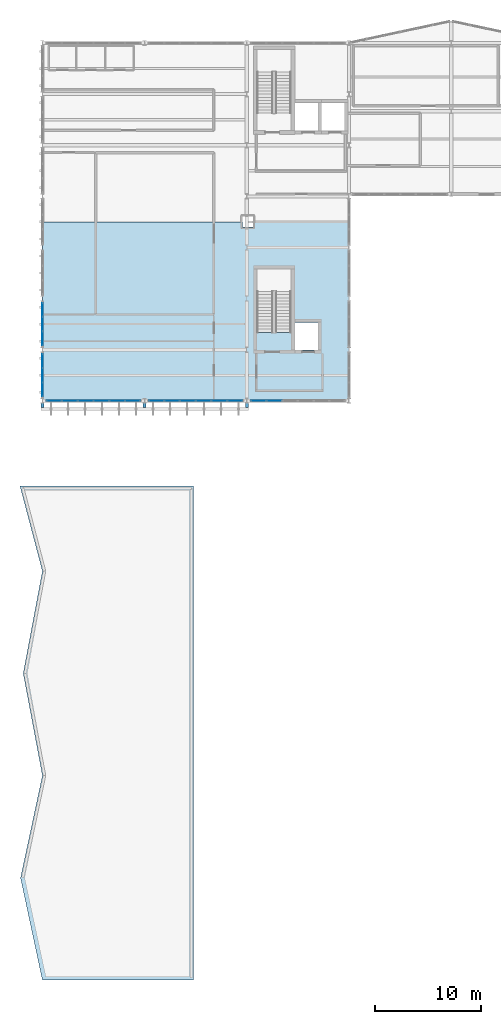
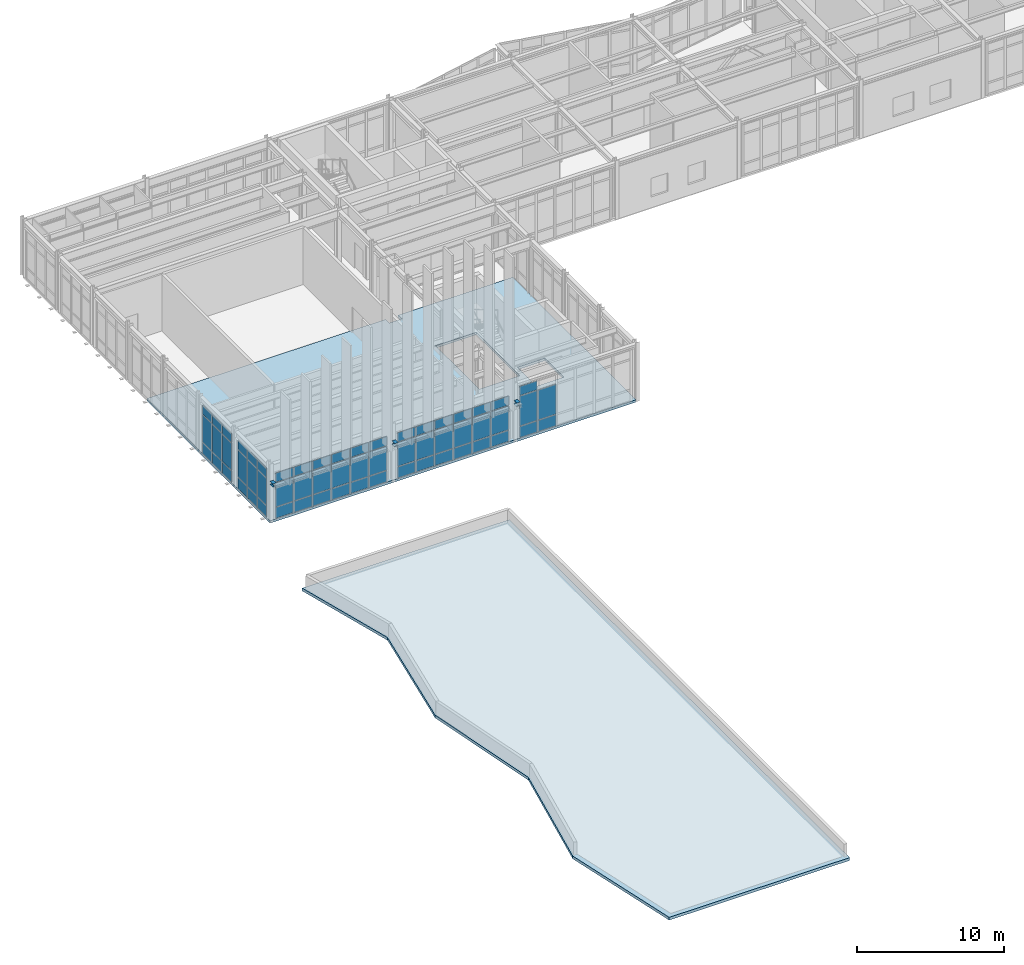
# One storey, part 16 of 28: 59 plates, 3 beams, 2 slabs, 5 elements without a shape of their own.
"""IFC4 building model written with IfcOpenShell, lengths in metres."""

from ifc_helpers import new_model, si_unit, direction, frame, origin, origin_2d, place, context, subcontext, project, spatial, polyline, rectangle, i_section, outline, extrude, material, layer, layer_set, material_profile, profile_set, type_object, element, aggregate, save


model = new_model("IFC4")

# Units and contexts
model_context = context("Model", 3, precision=1e-05, world=origin(), true_north=direction((0.0, 1.0)))
body_context = subcontext(model_context, "Body", "Model", "MODEL_VIEW")
ifc_project = project(units=[si_unit("LENGTHUNIT", "METRE"), si_unit("AREAUNIT", "SQUARE_METRE"), si_unit("VOLUMEUNIT", "CUBIC_METRE"), si_unit("PLANEANGLEUNIT", "RADIAN"), si_unit("MASSUNIT", "GRAM", prefix="KILO")], contexts=[model_context])

# Site, building, storey
site_placement = place(None, origin())
site = spatial("IfcSite", under=ifc_project, at=site_placement, CompositionType="ELEMENT")
building_placement = place(site_placement, origin())
building = spatial("IfcBuilding", under=site, at=building_placement, Name="Nordkorset Police Headquarters", CompositionType="ELEMENT")
storey_placement = place(building_placement, frame((0.0, 0.0, 26.25)))
storey = spatial("IfcBuildingStorey", under=building, at=storey_placement, Name="L06", CompositionType="ELEMENT", Elevation=26.25)

# Beams
ifc_material_1 = material(Name="Steel S355J2", Category="steel")
ifc_material_profile = material_profile(ifc_material_1, i_section(OverallWidth=0.280029296875, OverallDepth=0.27001953125, WebThickness=0.008056640625, FlangeThickness=0.012939453125, FilletRadius=0.02392578125, at=origin_2d()), Name="HEA 280")
ifc_profile_set = profile_set([ifc_material_profile], Name="Steel S355J2")
beam_type = type_object("IfcBeamType", Name="Spandrel_HEA_280", PredefinedType="SPANDREL", material=ifc_profile_set)
for number, where, z_axis, x_axis, name in (
    (1, (0.0, 82.97607421875, 3.35009765625), (0.0, -1.0, 0.0), (1.0, 0.0, 0.0), "Facade Fin Outrigger Beam South 1"),
    (2, (9.60009765625, 82.97607421875, 3.35009765625), (0.0, -1.0, 0.0), (1.0, 0.0, 0.0), "Facade Fin Outrigger Beam South 2"),
    (3, (19.199951171875, 82.97607421875, 3.35009765625), (0.0, -1.0, 0.0), (1.0, 0.0, 0.0), "Facade Fin Outrigger Beam South 3"),
):
    element("IfcBeam", number, at=place(storey_placement, frame(where, z_axis=z_axis, x_axis=x_axis)), inside=storey, type_object=beam_type, Name=name, PredefinedType="SPANDREL", context=body_context, shape_type="SweptSolid", body=[
        extrude(i_section(OverallWidth=0.280029296875, OverallDepth=0.27001953125, WebThickness=0.008056640625, FlangeThickness=0.012939453125, FilletRadius=0.02392578125, at=origin_2d()), origin(), (0.0, 0.0, 1.0), 0.385986328125),
    ])

# Curtain wall, plates
ifc_material_2 = material(Name="Aluminium alloy AW-6060", Category="aluminium")
ifc_layer_1 = layer(ifc_material_2, 0.179931640625, Name="Aluminium alloy AW-6060")
ifc_layer_set_1 = layer_set([ifc_layer_1], Name="Aluminium alloy AW-6060")
curtain_wall_type_1 = type_object("IfcCurtainWallType", Name="CW_Unit_408x415", PredefinedType="USERDEFINED", material=ifc_layer_set_1)
curtain_wall_1_placement = place(storey_placement, origin())
curtain_wall_1 = element("IfcCurtainWall", 4, at=curtain_wall_1_placement, inside=storey, type_object=curtain_wall_type_1, Name="Unitised Curtain Wall L06 V1W-0", ObjectType="UNITISED CURTAIN WALL", PredefinedType="USERDEFINED")
ifc_material_3 = material(Name="Low-iron triple glazing", Category="glass")
ifc_layer_2 = layer(ifc_material_3, 0.035888671875, Name="Low-iron triple glazing")
ifc_layer_set_2 = layer_set([ifc_layer_2], Name="Low-iron triple glazing")
plate_type = type_object("IfcPlateType", Name="CW_Panel_TripleGlazing_36", PredefinedType="CURTAIN_PANEL", material=ifc_layer_set_2)
plate_1_placement = place(storey_placement, frame((0.0, 84.25634765625, 0.06494140625), z_axis=(0.0, 0.0, 1.0), x_axis=(0.0, 1.0, 0.0)))
plate_1 = element("IfcPlate", 5, at=plate_1_placement, type_object=plate_type, Name="CW-101 panel 1.1", PredefinedType="CURTAIN_PANEL", context=body_context, shape_type="SweptSolid", body=[
    extrude(rectangle(XDim=1.262451171875, YDim=0.035888671875, at=origin_2d()), origin(), (0.0, 0.0, 1.0), 0.902587890625),
])
plate_2_placement = place(storey_placement, frame((0.0, 84.25634765625, 1.0322265625), z_axis=(0.0, 0.0, 1.0), x_axis=(0.0, 1.0, 0.0)))
plate_2 = element("IfcPlate", 6, at=plate_2_placement, type_object=plate_type, Name="CW-101 panel 1.2", PredefinedType="CURTAIN_PANEL", context=body_context, shape_type="SweptSolid", body=[
    extrude(rectangle(XDim=1.262451171875, YDim=0.035888671875, at=origin_2d()), origin(), (0.0, 0.0, 1.0), 2.235107421875),
])
plate_3_placement = place(storey_placement, frame((0.0, 84.25634765625, 3.33251953125), z_axis=(0.0, 0.0, 1.0), x_axis=(0.0, 1.0, 0.0)))
plate_3 = element("IfcPlate", 7, at=plate_3_placement, type_object=plate_type, Name="CW-101 panel 1.3", PredefinedType="CURTAIN_PANEL", context=body_context, shape_type="SweptSolid", body=[
    extrude(rectangle(XDim=1.262451171875, YDim=0.035888671875, at=origin_2d()), origin(), (0.0, 0.0, 1.0), 0.75244140625),
])
plate_4_placement = place(storey_placement, frame((0.0, 85.60009765625, 0.06494140625), z_axis=(0.0, 0.0, 1.0), x_axis=(0.0, 1.0, 0.0)))
plate_4 = element("IfcPlate", 8, at=plate_4_placement, type_object=plate_type, Name="CW-101 panel 2.1", PredefinedType="CURTAIN_PANEL", context=body_context, shape_type="SweptSolid", body=[
    extrude(rectangle(XDim=1.294921875, YDim=0.035888671875, at=origin_2d()), origin(), (0.0, 0.0, 1.0), 0.902587890625),
])
plate_5_placement = place(storey_placement, frame((0.0, 85.60009765625, 1.0322265625), z_axis=(0.0, 0.0, 1.0), x_axis=(0.0, 1.0, 0.0)))
plate_5 = element("IfcPlate", 9, at=plate_5_placement, type_object=plate_type, Name="CW-101 panel 2.2", PredefinedType="CURTAIN_PANEL", context=body_context, shape_type="SweptSolid", body=[
    extrude(rectangle(XDim=1.294921875, YDim=0.035888671875, at=origin_2d()), origin(), (0.0, 0.0, 1.0), 2.235107421875),
])
plate_6_placement = place(storey_placement, frame((0.0, 85.60009765625, 3.33251953125), z_axis=(0.0, 0.0, 1.0), x_axis=(0.0, 1.0, 0.0)))
plate_6 = element("IfcPlate", 10, at=plate_6_placement, type_object=plate_type, Name="CW-101 panel 2.3", PredefinedType="CURTAIN_PANEL", context=body_context, shape_type="SweptSolid", body=[
    extrude(rectangle(XDim=1.294921875, YDim=0.035888671875, at=origin_2d()), origin(), (0.0, 0.0, 1.0), 0.75244140625),
])
plate_7_placement = place(storey_placement, frame((0.0, 86.94384765625, 0.06494140625), z_axis=(0.0, 0.0, 1.0), x_axis=(0.0, 1.0, 0.0)))
plate_7 = element("IfcPlate", 11, at=plate_7_placement, type_object=plate_type, Name="CW-101 panel 3.1", PredefinedType="CURTAIN_PANEL", context=body_context, shape_type="SweptSolid", body=[
    extrude(rectangle(XDim=1.262451171875, YDim=0.035888671875, at=origin_2d()), origin(), (0.0, 0.0, 1.0), 0.902587890625),
])
plate_8_placement = place(storey_placement, frame((0.0, 86.94384765625, 1.0322265625), z_axis=(0.0, 0.0, 1.0), x_axis=(0.0, 1.0, 0.0)))
plate_8 = element("IfcPlate", 12, at=plate_8_placement, type_object=plate_type, Name="CW-101 panel 3.2", PredefinedType="CURTAIN_PANEL", context=body_context, shape_type="SweptSolid", body=[
    extrude(rectangle(XDim=1.262451171875, YDim=0.035888671875, at=origin_2d()), origin(), (0.0, 0.0, 1.0), 2.235107421875),
])
plate_9_placement = place(storey_placement, frame((0.0, 86.94384765625, 3.33251953125), z_axis=(0.0, 0.0, 1.0), x_axis=(0.0, 1.0, 0.0)))
plate_9 = element("IfcPlate", 13, at=plate_9_placement, type_object=plate_type, Name="CW-101 panel 3.3", PredefinedType="CURTAIN_PANEL", context=body_context, shape_type="SweptSolid", body=[
    extrude(rectangle(XDim=1.262451171875, YDim=0.035888671875, at=origin_2d()), origin(), (0.0, 0.0, 1.0), 0.75244140625),
])
aggregate(curtain_wall_1, [plate_1, plate_2, plate_3, plate_4, plate_5, plate_6, plate_7, plate_8, plate_9])

curtain_wall_2_placement = place(storey_placement, origin())
curtain_wall_2 = element("IfcCurtainWall", 14, at=curtain_wall_2_placement, inside=storey, type_object=curtain_wall_type_1, Name="Unitised Curtain Wall L06 V1W-1", ObjectType="UNITISED CURTAIN WALL", PredefinedType="USERDEFINED")
plate_10_placement = place(storey_placement, frame((0.0, 89.05615234375, 0.06494140625), z_axis=(0.0, 0.0, 1.0), x_axis=(0.0, 1.0, 0.0)))
plate_10 = element("IfcPlate", 15, at=plate_10_placement, type_object=plate_type, Name="CW-101 panel 1.1", PredefinedType="CURTAIN_PANEL", context=body_context, shape_type="SweptSolid", body=[
    extrude(rectangle(XDim=1.262451171875, YDim=0.035888671875, at=origin_2d()), origin(), (0.0, 0.0, 1.0), 0.902587890625),
])
plate_11_placement = place(storey_placement, frame((0.0, 89.05615234375, 1.0322265625), z_axis=(0.0, 0.0, 1.0), x_axis=(0.0, 1.0, 0.0)))
plate_11 = element("IfcPlate", 16, at=plate_11_placement, type_object=plate_type, Name="CW-101 panel 1.2", PredefinedType="CURTAIN_PANEL", context=body_context, shape_type="SweptSolid", body=[
    extrude(rectangle(XDim=1.262451171875, YDim=0.035888671875, at=origin_2d()), origin(), (0.0, 0.0, 1.0), 2.235107421875),
])
plate_12_placement = place(storey_placement, frame((0.0, 89.05615234375, 3.33251953125), z_axis=(0.0, 0.0, 1.0), x_axis=(0.0, 1.0, 0.0)))
plate_12 = element("IfcPlate", 17, at=plate_12_placement, type_object=plate_type, Name="CW-101 panel 1.3", PredefinedType="CURTAIN_PANEL", context=body_context, shape_type="SweptSolid", body=[
    extrude(rectangle(XDim=1.262451171875, YDim=0.035888671875, at=origin_2d()), origin(), (0.0, 0.0, 1.0), 0.75244140625),
])
plate_13_placement = place(storey_placement, frame((0.0, 90.39990234375, 0.06494140625), z_axis=(0.0, 0.0, 1.0), x_axis=(0.0, 1.0, 0.0)))
plate_13 = element("IfcPlate", 18, at=plate_13_placement, type_object=plate_type, Name="CW-101 panel 2.1", PredefinedType="CURTAIN_PANEL", context=body_context, shape_type="SweptSolid", body=[
    extrude(rectangle(XDim=1.294921875, YDim=0.035888671875, at=origin_2d()), origin(), (0.0, 0.0, 1.0), 0.902587890625),
])
plate_14_placement = place(storey_placement, frame((0.0, 90.39990234375, 1.0322265625), z_axis=(0.0, 0.0, 1.0), x_axis=(0.0, 1.0, 0.0)))
plate_14 = element("IfcPlate", 19, at=plate_14_placement, type_object=plate_type, Name="CW-101 panel 2.2", PredefinedType="CURTAIN_PANEL", context=body_context, shape_type="SweptSolid", body=[
    extrude(rectangle(XDim=1.294921875, YDim=0.035888671875, at=origin_2d()), origin(), (0.0, 0.0, 1.0), 2.235107421875),
])
plate_15_placement = place(storey_placement, frame((0.0, 90.39990234375, 3.33251953125), z_axis=(0.0, 0.0, 1.0), x_axis=(0.0, 1.0, 0.0)))
plate_15 = element("IfcPlate", 20, at=plate_15_placement, type_object=plate_type, Name="CW-101 panel 2.3", PredefinedType="CURTAIN_PANEL", context=body_context, shape_type="SweptSolid", body=[
    extrude(rectangle(XDim=1.294921875, YDim=0.035888671875, at=origin_2d()), origin(), (0.0, 0.0, 1.0), 0.75244140625),
])
plate_16_placement = place(storey_placement, frame((0.0, 91.74365234375, 0.06494140625), z_axis=(0.0, 0.0, 1.0), x_axis=(0.0, 1.0, 0.0)))
plate_16 = element("IfcPlate", 21, at=plate_16_placement, type_object=plate_type, Name="CW-101 panel 3.1", PredefinedType="CURTAIN_PANEL", context=body_context, shape_type="SweptSolid", body=[
    extrude(rectangle(XDim=1.262451171875, YDim=0.035888671875, at=origin_2d()), origin(), (0.0, 0.0, 1.0), 0.902587890625),
])
plate_17_placement = place(storey_placement, frame((0.0, 91.74365234375, 1.0322265625), z_axis=(0.0, 0.0, 1.0), x_axis=(0.0, 1.0, 0.0)))
plate_17 = element("IfcPlate", 22, at=plate_17_placement, type_object=plate_type, Name="CW-101 panel 3.2", PredefinedType="CURTAIN_PANEL", context=body_context, shape_type="SweptSolid", body=[
    extrude(rectangle(XDim=1.262451171875, YDim=0.035888671875, at=origin_2d()), origin(), (0.0, 0.0, 1.0), 2.235107421875),
])
plate_18_placement = place(storey_placement, frame((0.0, 91.74365234375, 3.33251953125), z_axis=(0.0, 0.0, 1.0), x_axis=(0.0, 1.0, 0.0)))
plate_18 = element("IfcPlate", 23, at=plate_18_placement, type_object=plate_type, Name="CW-101 panel 3.3", PredefinedType="CURTAIN_PANEL", context=body_context, shape_type="SweptSolid", body=[
    extrude(rectangle(XDim=1.262451171875, YDim=0.035888671875, at=origin_2d()), origin(), (0.0, 0.0, 1.0), 0.75244140625),
])
aggregate(curtain_wall_2, [plate_10, plate_11, plate_12, plate_13, plate_14, plate_15, plate_16, plate_17, plate_18])

ifc_material_4 = material(Name="Aluminium alloy AW-6060", Category="aluminium")
ifc_layer_3 = layer(ifc_material_4, 0.179931640625, Name="Aluminium alloy AW-6060")
ifc_layer_set_3 = layer_set([ifc_layer_3], Name="Aluminium alloy AW-6060")
curtain_wall_type_2 = type_object("IfcCurtainWallType", Name="CW_Unit_888x389", PredefinedType="USERDEFINED", material=ifc_layer_set_3)
curtain_wall_3_placement = place(storey_placement, origin())
curtain_wall_3 = element("IfcCurtainWall", 24, at=curtain_wall_3_placement, inside=storey, type_object=curtain_wall_type_2, Name="Unitised Curtain Wall L06 V1S-0", ObjectType="UNITISED CURTAIN WALL", PredefinedType="USERDEFINED")
plate_19_placement = place(storey_placement, frame((1.1162109375, 83.199951171875, 0.06494140625), z_axis=(0.0, 0.0, 1.0), x_axis=(1.0, 0.0, 0.0)))
plate_19 = element("IfcPlate", 25, at=plate_19_placement, type_object=plate_type, Name="CW-76 panel 1.1", PredefinedType="CURTAIN_PANEL", context=body_context, shape_type="SweptSolid", body=[
    extrude(rectangle(XDim=1.382568359375, YDim=0.035888671875, at=origin_2d()), origin(), (0.0, 0.0, 1.0), 0.902587890625),
])
plate_20_placement = place(storey_placement, frame((1.1162109375, 83.199951171875, 1.032470703125), z_axis=(0.0, 0.0, 1.0), x_axis=(1.0, 0.0, 0.0)))
plate_20 = element("IfcPlate", 26, at=plate_20_placement, type_object=plate_type, Name="CW-76 panel 1.2", PredefinedType="CURTAIN_PANEL", context=body_context, shape_type="SweptSolid", body=[
    extrude(rectangle(XDim=1.382568359375, YDim=0.035888671875, at=origin_2d()), origin(), (0.0, 0.0, 1.0), 1.97509765625),
])
plate_21_placement = place(storey_placement, frame((1.1162109375, 83.199951171875, 3.072509765625), z_axis=(0.0, 0.0, 1.0), x_axis=(1.0, 0.0, 0.0)))
plate_21 = element("IfcPlate", 27, at=plate_21_placement, type_object=plate_type, Name="CW-76 panel 1.3", PredefinedType="CURTAIN_PANEL", context=body_context, shape_type="SweptSolid", body=[
    extrude(rectangle(XDim=1.382568359375, YDim=0.035888671875, at=origin_2d()), origin(), (0.0, 0.0, 1.0), 0.75244140625),
])
plate_22_placement = place(storey_placement, frame((2.580078125, 83.199951171875, 0.06494140625), z_axis=(0.0, 0.0, 1.0), x_axis=(1.0, 0.0, 0.0)))
plate_22 = element("IfcPlate", 28, at=plate_22_placement, type_object=plate_type, Name="CW-76 panel 2.1", PredefinedType="CURTAIN_PANEL", context=body_context, shape_type="SweptSolid", body=[
    extrude(rectangle(XDim=1.4150390625, YDim=0.035888671875, at=origin_2d()), origin(), (0.0, 0.0, 1.0), 0.902587890625),
])
plate_23_placement = place(storey_placement, frame((2.580078125, 83.199951171875, 1.032470703125), z_axis=(0.0, 0.0, 1.0), x_axis=(1.0, 0.0, 0.0)))
plate_23 = element("IfcPlate", 29, at=plate_23_placement, type_object=plate_type, Name="CW-76 panel 2.2", PredefinedType="CURTAIN_PANEL", context=body_context, shape_type="SweptSolid", body=[
    extrude(rectangle(XDim=1.4150390625, YDim=0.035888671875, at=origin_2d()), origin(), (0.0, 0.0, 1.0), 1.97509765625),
])
plate_24_placement = place(storey_placement, frame((2.580078125, 83.199951171875, 3.072509765625), z_axis=(0.0, 0.0, 1.0), x_axis=(1.0, 0.0, 0.0)))
plate_24 = element("IfcPlate", 30, at=plate_24_placement, type_object=plate_type, Name="CW-76 panel 2.3", PredefinedType="CURTAIN_PANEL", context=body_context, shape_type="SweptSolid", body=[
    extrude(rectangle(XDim=1.4150390625, YDim=0.035888671875, at=origin_2d()), origin(), (0.0, 0.0, 1.0), 0.75244140625),
])
plate_25_placement = place(storey_placement, frame((4.06005859375, 83.199951171875, 0.06494140625), z_axis=(0.0, 0.0, 1.0), x_axis=(1.0, 0.0, 0.0)))
plate_25 = element("IfcPlate", 31, at=plate_25_placement, type_object=plate_type, Name="CW-76 panel 3.1", PredefinedType="CURTAIN_PANEL", context=body_context, shape_type="SweptSolid", body=[
    extrude(rectangle(XDim=1.4150390625, YDim=0.035888671875, at=origin_2d()), origin(), (0.0, 0.0, 1.0), 0.902587890625),
])
plate_26_placement = place(storey_placement, frame((4.06005859375, 83.199951171875, 1.032470703125), z_axis=(0.0, 0.0, 1.0), x_axis=(1.0, 0.0, 0.0)))
plate_26 = element("IfcPlate", 32, at=plate_26_placement, type_object=plate_type, Name="CW-76 panel 3.2", PredefinedType="CURTAIN_PANEL", context=body_context, shape_type="SweptSolid", body=[
    extrude(rectangle(XDim=1.4150390625, YDim=0.035888671875, at=origin_2d()), origin(), (0.0, 0.0, 1.0), 1.97509765625),
])
plate_27_placement = place(storey_placement, frame((4.06005859375, 83.199951171875, 3.072509765625), z_axis=(0.0, 0.0, 1.0), x_axis=(1.0, 0.0, 0.0)))
plate_27 = element("IfcPlate", 33, at=plate_27_placement, type_object=plate_type, Name="CW-76 panel 3.3", PredefinedType="CURTAIN_PANEL", context=body_context, shape_type="SweptSolid", body=[
    extrude(rectangle(XDim=1.4150390625, YDim=0.035888671875, at=origin_2d()), origin(), (0.0, 0.0, 1.0), 0.75244140625),
])
plate_28_placement = place(storey_placement, frame((5.5400390625, 83.199951171875, 0.06494140625), z_axis=(0.0, 0.0, 1.0), x_axis=(1.0, 0.0, 0.0)))
plate_28 = element("IfcPlate", 34, at=plate_28_placement, type_object=plate_type, Name="CW-76 panel 4.1", PredefinedType="CURTAIN_PANEL", context=body_context, shape_type="SweptSolid", body=[
    extrude(rectangle(XDim=1.4150390625, YDim=0.035888671875, at=origin_2d()), origin(), (0.0, 0.0, 1.0), 0.902587890625),
])
plate_29_placement = place(storey_placement, frame((5.5400390625, 83.199951171875, 1.032470703125), z_axis=(0.0, 0.0, 1.0), x_axis=(1.0, 0.0, 0.0)))
plate_29 = element("IfcPlate", 35, at=plate_29_placement, type_object=plate_type, Name="CW-76 panel 4.2", PredefinedType="CURTAIN_PANEL", context=body_context, shape_type="SweptSolid", body=[
    extrude(rectangle(XDim=1.4150390625, YDim=0.035888671875, at=origin_2d()), origin(), (0.0, 0.0, 1.0), 1.97509765625),
])
plate_30_placement = place(storey_placement, frame((5.5400390625, 83.199951171875, 3.072509765625), z_axis=(0.0, 0.0, 1.0), x_axis=(1.0, 0.0, 0.0)))
plate_30 = element("IfcPlate", 36, at=plate_30_placement, type_object=plate_type, Name="CW-76 panel 4.3", PredefinedType="CURTAIN_PANEL", context=body_context, shape_type="SweptSolid", body=[
    extrude(rectangle(XDim=1.4150390625, YDim=0.035888671875, at=origin_2d()), origin(), (0.0, 0.0, 1.0), 0.75244140625),
])
plate_31_placement = place(storey_placement, frame((7.02001953125, 83.199951171875, 0.06494140625), z_axis=(0.0, 0.0, 1.0), x_axis=(1.0, 0.0, 0.0)))
plate_31 = element("IfcPlate", 37, at=plate_31_placement, type_object=plate_type, Name="CW-76 panel 5.1", PredefinedType="CURTAIN_PANEL", context=body_context, shape_type="SweptSolid", body=[
    extrude(rectangle(XDim=1.4150390625, YDim=0.035888671875, at=origin_2d()), origin(), (0.0, 0.0, 1.0), 0.902587890625),
])
plate_32_placement = place(storey_placement, frame((7.02001953125, 83.199951171875, 1.032470703125), z_axis=(0.0, 0.0, 1.0), x_axis=(1.0, 0.0, 0.0)))
plate_32 = element("IfcPlate", 38, at=plate_32_placement, type_object=plate_type, Name="CW-76 panel 5.2", PredefinedType="CURTAIN_PANEL", context=body_context, shape_type="SweptSolid", body=[
    extrude(rectangle(XDim=1.4150390625, YDim=0.035888671875, at=origin_2d()), origin(), (0.0, 0.0, 1.0), 1.97509765625),
])
plate_33_placement = place(storey_placement, frame((7.02001953125, 83.199951171875, 3.072509765625), z_axis=(0.0, 0.0, 1.0), x_axis=(1.0, 0.0, 0.0)))
plate_33 = element("IfcPlate", 39, at=plate_33_placement, type_object=plate_type, Name="CW-76 panel 5.3", PredefinedType="CURTAIN_PANEL", context=body_context, shape_type="SweptSolid", body=[
    extrude(rectangle(XDim=1.4150390625, YDim=0.035888671875, at=origin_2d()), origin(), (0.0, 0.0, 1.0), 0.75244140625),
])
plate_34_placement = place(storey_placement, frame((8.483642578125, 83.199951171875, 0.06494140625), z_axis=(0.0, 0.0, 1.0), x_axis=(1.0, 0.0, 0.0)))
plate_34 = element("IfcPlate", 40, at=plate_34_placement, type_object=plate_type, Name="CW-76 panel 6.1", PredefinedType="CURTAIN_PANEL", context=body_context, shape_type="SweptSolid", body=[
    extrude(rectangle(XDim=1.382568359375, YDim=0.035888671875, at=origin_2d()), origin(), (0.0, 0.0, 1.0), 0.902587890625),
])
plate_35_placement = place(storey_placement, frame((8.483642578125, 83.199951171875, 1.032470703125), z_axis=(0.0, 0.0, 1.0), x_axis=(1.0, 0.0, 0.0)))
plate_35 = element("IfcPlate", 41, at=plate_35_placement, type_object=plate_type, Name="CW-76 panel 6.2", PredefinedType="CURTAIN_PANEL", context=body_context, shape_type="SweptSolid", body=[
    extrude(rectangle(XDim=1.382568359375, YDim=0.035888671875, at=origin_2d()), origin(), (0.0, 0.0, 1.0), 1.97509765625),
])
plate_36_placement = place(storey_placement, frame((8.483642578125, 83.199951171875, 3.072509765625), z_axis=(0.0, 0.0, 1.0), x_axis=(1.0, 0.0, 0.0)))
plate_36 = element("IfcPlate", 42, at=plate_36_placement, type_object=plate_type, Name="CW-76 panel 6.3", PredefinedType="CURTAIN_PANEL", context=body_context, shape_type="SweptSolid", body=[
    extrude(rectangle(XDim=1.382568359375, YDim=0.035888671875, at=origin_2d()), origin(), (0.0, 0.0, 1.0), 0.75244140625),
])
aggregate(curtain_wall_3, [plate_19, plate_20, plate_21, plate_22, plate_23, plate_24, plate_25, plate_26, plate_27, plate_28, plate_29, plate_30, plate_31, plate_32, plate_33, plate_34, plate_35, plate_36])

curtain_wall_4_placement = place(storey_placement, origin())
curtain_wall_4 = element("IfcCurtainWall", 43, at=curtain_wall_4_placement, inside=storey, type_object=curtain_wall_type_2, Name="Unitised Curtain Wall L06 V1S-1", ObjectType="UNITISED CURTAIN WALL", PredefinedType="USERDEFINED")
plate_37_placement = place(storey_placement, frame((10.71630859375, 83.199951171875, 0.06494140625), z_axis=(0.0, 0.0, 1.0), x_axis=(1.0, 0.0, 0.0)))
plate_37 = element("IfcPlate", 44, at=plate_37_placement, type_object=plate_type, Name="CW-76 panel 1.1", PredefinedType="CURTAIN_PANEL", context=body_context, shape_type="SweptSolid", body=[
    extrude(rectangle(XDim=1.382568359375, YDim=0.035888671875, at=origin_2d()), origin(), (0.0, 0.0, 1.0), 0.902587890625),
])
plate_38_placement = place(storey_placement, frame((10.71630859375, 83.199951171875, 1.032470703125), z_axis=(0.0, 0.0, 1.0), x_axis=(1.0, 0.0, 0.0)))
plate_38 = element("IfcPlate", 45, at=plate_38_placement, type_object=plate_type, Name="CW-76 panel 1.2", PredefinedType="CURTAIN_PANEL", context=body_context, shape_type="SweptSolid", body=[
    extrude(rectangle(XDim=1.382568359375, YDim=0.035888671875, at=origin_2d()), origin(), (0.0, 0.0, 1.0), 1.97509765625),
])
plate_39_placement = place(storey_placement, frame((10.71630859375, 83.199951171875, 3.072509765625), z_axis=(0.0, 0.0, 1.0), x_axis=(1.0, 0.0, 0.0)))
plate_39 = element("IfcPlate", 46, at=plate_39_placement, type_object=plate_type, Name="CW-76 panel 1.3", PredefinedType="CURTAIN_PANEL", context=body_context, shape_type="SweptSolid", body=[
    extrude(rectangle(XDim=1.382568359375, YDim=0.035888671875, at=origin_2d()), origin(), (0.0, 0.0, 1.0), 0.75244140625),
])
plate_40_placement = place(storey_placement, frame((12.179931640625, 83.199951171875, 0.06494140625), z_axis=(0.0, 0.0, 1.0), x_axis=(1.0, 0.0, 0.0)))
plate_40 = element("IfcPlate", 47, at=plate_40_placement, type_object=plate_type, Name="CW-76 panel 2.1", PredefinedType="CURTAIN_PANEL", context=body_context, shape_type="SweptSolid", body=[
    extrude(rectangle(XDim=1.4150390625, YDim=0.035888671875, at=origin_2d()), origin(), (0.0, 0.0, 1.0), 0.902587890625),
])
plate_41_placement = place(storey_placement, frame((12.179931640625, 83.199951171875, 1.032470703125), z_axis=(0.0, 0.0, 1.0), x_axis=(1.0, 0.0, 0.0)))
plate_41 = element("IfcPlate", 48, at=plate_41_placement, type_object=plate_type, Name="CW-76 panel 2.2", PredefinedType="CURTAIN_PANEL", context=body_context, shape_type="SweptSolid", body=[
    extrude(rectangle(XDim=1.4150390625, YDim=0.035888671875, at=origin_2d()), origin(), (0.0, 0.0, 1.0), 1.97509765625),
])
plate_42_placement = place(storey_placement, frame((12.179931640625, 83.199951171875, 3.072509765625), z_axis=(0.0, 0.0, 1.0), x_axis=(1.0, 0.0, 0.0)))
plate_42 = element("IfcPlate", 49, at=plate_42_placement, type_object=plate_type, Name="CW-76 panel 2.3", PredefinedType="CURTAIN_PANEL", context=body_context, shape_type="SweptSolid", body=[
    extrude(rectangle(XDim=1.4150390625, YDim=0.035888671875, at=origin_2d()), origin(), (0.0, 0.0, 1.0), 0.75244140625),
])
plate_43_placement = place(storey_placement, frame((13.659912109375, 83.199951171875, 0.06494140625), z_axis=(0.0, 0.0, 1.0), x_axis=(1.0, 0.0, 0.0)))
plate_43 = element("IfcPlate", 50, at=plate_43_placement, type_object=plate_type, Name="CW-76 panel 3.1", PredefinedType="CURTAIN_PANEL", context=body_context, shape_type="SweptSolid", body=[
    extrude(rectangle(XDim=1.4150390625, YDim=0.035888671875, at=origin_2d()), origin(), (0.0, 0.0, 1.0), 0.902587890625),
])
plate_44_placement = place(storey_placement, frame((13.659912109375, 83.199951171875, 1.032470703125), z_axis=(0.0, 0.0, 1.0), x_axis=(1.0, 0.0, 0.0)))
plate_44 = element("IfcPlate", 51, at=plate_44_placement, type_object=plate_type, Name="CW-76 panel 3.2", PredefinedType="CURTAIN_PANEL", context=body_context, shape_type="SweptSolid", body=[
    extrude(rectangle(XDim=1.4150390625, YDim=0.035888671875, at=origin_2d()), origin(), (0.0, 0.0, 1.0), 1.97509765625),
])
plate_45_placement = place(storey_placement, frame((13.659912109375, 83.199951171875, 3.072509765625), z_axis=(0.0, 0.0, 1.0), x_axis=(1.0, 0.0, 0.0)))
plate_45 = element("IfcPlate", 52, at=plate_45_placement, type_object=plate_type, Name="CW-76 panel 3.3", PredefinedType="CURTAIN_PANEL", context=body_context, shape_type="SweptSolid", body=[
    extrude(rectangle(XDim=1.4150390625, YDim=0.035888671875, at=origin_2d()), origin(), (0.0, 0.0, 1.0), 0.75244140625),
])
plate_46_placement = place(storey_placement, frame((15.139892578125, 83.199951171875, 0.06494140625), z_axis=(0.0, 0.0, 1.0), x_axis=(1.0, 0.0, 0.0)))
plate_46 = element("IfcPlate", 53, at=plate_46_placement, type_object=plate_type, Name="CW-76 panel 4.1", PredefinedType="CURTAIN_PANEL", context=body_context, shape_type="SweptSolid", body=[
    extrude(rectangle(XDim=1.4150390625, YDim=0.035888671875, at=origin_2d()), origin(), (0.0, 0.0, 1.0), 0.902587890625),
])
plate_47_placement = place(storey_placement, frame((15.139892578125, 83.199951171875, 1.032470703125), z_axis=(0.0, 0.0, 1.0), x_axis=(1.0, 0.0, 0.0)))
plate_47 = element("IfcPlate", 54, at=plate_47_placement, type_object=plate_type, Name="CW-76 panel 4.2", PredefinedType="CURTAIN_PANEL", context=body_context, shape_type="SweptSolid", body=[
    extrude(rectangle(XDim=1.4150390625, YDim=0.035888671875, at=origin_2d()), origin(), (0.0, 0.0, 1.0), 1.97509765625),
])
plate_48_placement = place(storey_placement, frame((15.139892578125, 83.199951171875, 3.072509765625), z_axis=(0.0, 0.0, 1.0), x_axis=(1.0, 0.0, 0.0)))
plate_48 = element("IfcPlate", 55, at=plate_48_placement, type_object=plate_type, Name="CW-76 panel 4.3", PredefinedType="CURTAIN_PANEL", context=body_context, shape_type="SweptSolid", body=[
    extrude(rectangle(XDim=1.4150390625, YDim=0.035888671875, at=origin_2d()), origin(), (0.0, 0.0, 1.0), 0.75244140625),
])
plate_49_placement = place(storey_placement, frame((16.6201171875, 83.199951171875, 0.06494140625), z_axis=(0.0, 0.0, 1.0), x_axis=(1.0, 0.0, 0.0)))
plate_49 = element("IfcPlate", 56, at=plate_49_placement, type_object=plate_type, Name="CW-76 panel 5.1", PredefinedType="CURTAIN_PANEL", context=body_context, shape_type="SweptSolid", body=[
    extrude(rectangle(XDim=1.4150390625, YDim=0.035888671875, at=origin_2d()), origin(), (0.0, 0.0, 1.0), 0.902587890625),
])
plate_50_placement = place(storey_placement, frame((16.6201171875, 83.199951171875, 1.032470703125), z_axis=(0.0, 0.0, 1.0), x_axis=(1.0, 0.0, 0.0)))
plate_50 = element("IfcPlate", 57, at=plate_50_placement, type_object=plate_type, Name="CW-76 panel 5.2", PredefinedType="CURTAIN_PANEL", context=body_context, shape_type="SweptSolid", body=[
    extrude(rectangle(XDim=1.4150390625, YDim=0.035888671875, at=origin_2d()), origin(), (0.0, 0.0, 1.0), 1.97509765625),
])
plate_51_placement = place(storey_placement, frame((16.6201171875, 83.199951171875, 3.072509765625), z_axis=(0.0, 0.0, 1.0), x_axis=(1.0, 0.0, 0.0)))
plate_51 = element("IfcPlate", 58, at=plate_51_placement, type_object=plate_type, Name="CW-76 panel 5.3", PredefinedType="CURTAIN_PANEL", context=body_context, shape_type="SweptSolid", body=[
    extrude(rectangle(XDim=1.4150390625, YDim=0.035888671875, at=origin_2d()), origin(), (0.0, 0.0, 1.0), 0.75244140625),
])
plate_52_placement = place(storey_placement, frame((18.083740234375, 83.199951171875, 0.06494140625), z_axis=(0.0, 0.0, 1.0), x_axis=(1.0, 0.0, 0.0)))
plate_52 = element("IfcPlate", 59, at=plate_52_placement, type_object=plate_type, Name="CW-76 panel 6.1", PredefinedType="CURTAIN_PANEL", context=body_context, shape_type="SweptSolid", body=[
    extrude(rectangle(XDim=1.382568359375, YDim=0.035888671875, at=origin_2d()), origin(), (0.0, 0.0, 1.0), 0.902587890625),
])
plate_53_placement = place(storey_placement, frame((18.083740234375, 83.199951171875, 1.032470703125), z_axis=(0.0, 0.0, 1.0), x_axis=(1.0, 0.0, 0.0)))
plate_53 = element("IfcPlate", 60, at=plate_53_placement, type_object=plate_type, Name="CW-76 panel 6.2", PredefinedType="CURTAIN_PANEL", context=body_context, shape_type="SweptSolid", body=[
    extrude(rectangle(XDim=1.382568359375, YDim=0.035888671875, at=origin_2d()), origin(), (0.0, 0.0, 1.0), 1.97509765625),
])
plate_54_placement = place(storey_placement, frame((18.083740234375, 83.199951171875, 3.072509765625), z_axis=(0.0, 0.0, 1.0), x_axis=(1.0, 0.0, 0.0)))
plate_54 = element("IfcPlate", 61, at=plate_54_placement, type_object=plate_type, Name="CW-76 panel 6.3", PredefinedType="CURTAIN_PANEL", context=body_context, shape_type="SweptSolid", body=[
    extrude(rectangle(XDim=1.382568359375, YDim=0.035888671875, at=origin_2d()), origin(), (0.0, 0.0, 1.0), 0.75244140625),
])
aggregate(curtain_wall_4, [plate_37, plate_38, plate_39, plate_40, plate_41, plate_42, plate_43, plate_44, plate_45, plate_46, plate_47, plate_48, plate_49, plate_50, plate_51, plate_52, plate_53, plate_54])

ifc_material_5 = material(Name="Aluminium alloy AW-6060", Category="aluminium")
ifc_layer_4 = layer(ifc_material_5, 0.179931640625, Name="Aluminium alloy AW-6060")
ifc_layer_set_4 = layer_set([ifc_layer_4], Name="Aluminium alloy AW-6060")
curtain_wall_type_3 = type_object("IfcCurtainWallType", Name="CW_Unit_888x438", PredefinedType="USERDEFINED", material=ifc_layer_set_4)
curtain_wall_5_placement = place(storey_placement, origin())
curtain_wall_5 = element("IfcCurtainWall", 62, at=curtain_wall_5_placement, inside=storey, type_object=curtain_wall_type_3, Name="Unitised Curtain Wall L06 V1S-2", ObjectType="UNITISED CURTAIN WALL", PredefinedType="USERDEFINED")
plate_55_placement = place(storey_placement, frame((20.316162109375, 83.199951171875, 0.06494140625), z_axis=(0.0, 0.0, 1.0), x_axis=(1.0, 0.0, 0.0)))
plate_55 = element("IfcPlate", 63, at=plate_55_placement, type_object=plate_type, Name="CW-102 panel 1.1", PredefinedType="CURTAIN_PANEL", context=body_context, shape_type="SweptSolid", body=[
    extrude(rectangle(XDim=1.382568359375, YDim=0.035888671875, at=origin_2d()), origin(), (0.0, 0.0, 1.0), 0.902587890625),
])
plate_56_placement = place(storey_placement, frame((20.316162109375, 83.199951171875, 1.0322265625), z_axis=(0.0, 0.0, 1.0), x_axis=(1.0, 0.0, 0.0)))
plate_56 = element("IfcPlate", 64, at=plate_56_placement, type_object=plate_type, Name="CW-102 panel 1.2", PredefinedType="CURTAIN_PANEL", context=body_context, shape_type="SweptSolid", body=[
    extrude(rectangle(XDim=1.382568359375, YDim=0.035888671875, at=origin_2d()), origin(), (0.0, 0.0, 1.0), 2.465087890625),
])
plate_57_placement = place(storey_placement, frame((20.316162109375, 83.199951171875, 3.5625), z_axis=(0.0, 0.0, 1.0), x_axis=(1.0, 0.0, 0.0)))
plate_57 = element("IfcPlate", 65, at=plate_57_placement, type_object=plate_type, Name="CW-102 panel 1.3", PredefinedType="CURTAIN_PANEL", context=body_context, shape_type="SweptSolid", body=[
    extrude(rectangle(XDim=1.382568359375, YDim=0.035888671875, at=origin_2d()), origin(), (0.0, 0.0, 1.0), 0.75244140625),
])
plate_58_placement = place(storey_placement, frame((21.780029296875, 83.199951171875, 0.06494140625), z_axis=(0.0, 0.0, 1.0), x_axis=(1.0, 0.0, 0.0)))
plate_58 = element("IfcPlate", 66, at=plate_58_placement, type_object=plate_type, Name="CW-102 panel 2.1", PredefinedType="CURTAIN_PANEL", context=body_context, shape_type="SweptSolid", body=[
    extrude(rectangle(XDim=1.4150390625, YDim=0.035888671875, at=origin_2d()), origin(), (0.0, 0.0, 1.0), 0.902587890625),
])
plate_59_placement = place(storey_placement, frame((21.780029296875, 83.199951171875, 1.0322265625), z_axis=(0.0, 0.0, 1.0), x_axis=(1.0, 0.0, 0.0)))
plate_59 = element("IfcPlate", 67, at=plate_59_placement, type_object=plate_type, Name="CW-102 panel 2.2", PredefinedType="CURTAIN_PANEL", context=body_context, shape_type="SweptSolid", body=[
    extrude(rectangle(XDim=1.4150390625, YDim=0.035888671875, at=origin_2d()), origin(), (0.0, 0.0, 1.0), 2.465087890625),
])
aggregate(curtain_wall_5, [plate_55, plate_56, plate_57, plate_58, plate_59])

# Slabs
ifc_material_6 = material(Name="Concrete C35/45", Category="concrete")
ifc_layer_5 = layer(ifc_material_6, 0.235107421875, Name="Concrete C35/45")
ifc_layer_set_5 = layer_set([ifc_layer_5], Name="Concrete C35/45")
slab_type_1 = type_object("IfcSlabType", Name="Slab_RoofFlat_235", PredefinedType="ROOF", material=ifc_layer_set_5)
slab_1_placement = place(storey_placement, frame((0.0, 0.0, -0.235107421875)))
element("IfcSlab", 68, at=slab_1_placement, inside=storey, type_object=slab_type_1, Name="Forensic Wing Technical Roof Slab", PredefinedType="ROOF", context=body_context, shape_type="SweptSolid", body=[
    extrude(outline(polyline([(0.0, 28.800048828125), (14.199951171875, 28.800048828125), (14.199951171875, 75.179931640625), (-2.10009765625, 75.179931640625), (0.0, 67.199951171875), (-1.800048828125, 57.60009765625), (0.0, 48.0), (-2.050048828125, 38.39990234375), (0.0, 28.800048828125)])), origin(), (0.0, 0.0, 1.0), 0.235107421875),
])
ifc_material_7 = material(Name="Concrete C35/45", Category="concrete")
ifc_layer_6 = layer(ifc_material_7, 0.199951171875, Name="Concrete C35/45")
ifc_layer_set_6 = layer_set([ifc_layer_6], Name="Concrete C35/45")
slab_type_2 = type_object("IfcSlabType", Name="Slab_Upper_200", PredefinedType="FLOOR", material=ifc_layer_set_6)
slab_2_placement = place(storey_placement, frame((0.0, 0.0, -0.199951171875)))
element("IfcSlab", 69, at=slab_2_placement, inside=storey, type_object=slab_type_2, Name="Composite Floor Slab V1 South L06", PredefinedType="FLOOR", context=body_context, shape_type="SweptSolid", body=[
    extrude(outline(polyline([(18.780029296875, 100.0), (18.780029296875, 99.5), (19.780029296875, 99.5), (19.780029296875, 100.0), (28.800048828125, 100.0), (28.800048828125, 83.199951171875), (0.0, 83.199951171875), (0.0, 100.0), (18.780029296875, 100.0)]), holes=[polyline([(20.175048828125, 95.574951171875), (20.175048828125, 89.6279296875), (23.375, 89.6279296875), (23.375, 95.574951171875), (20.175048828125, 95.574951171875)]), polyline([(25.875, 90.574951171875), (23.72509765625, 90.574951171875), (23.72509765625, 87.97509765625), (25.875, 87.97509765625), (25.875, 90.574951171875)])]), origin(), (0.0, 0.0, 1.0), 0.199951171875),
])

save(model, "model.ifc")
